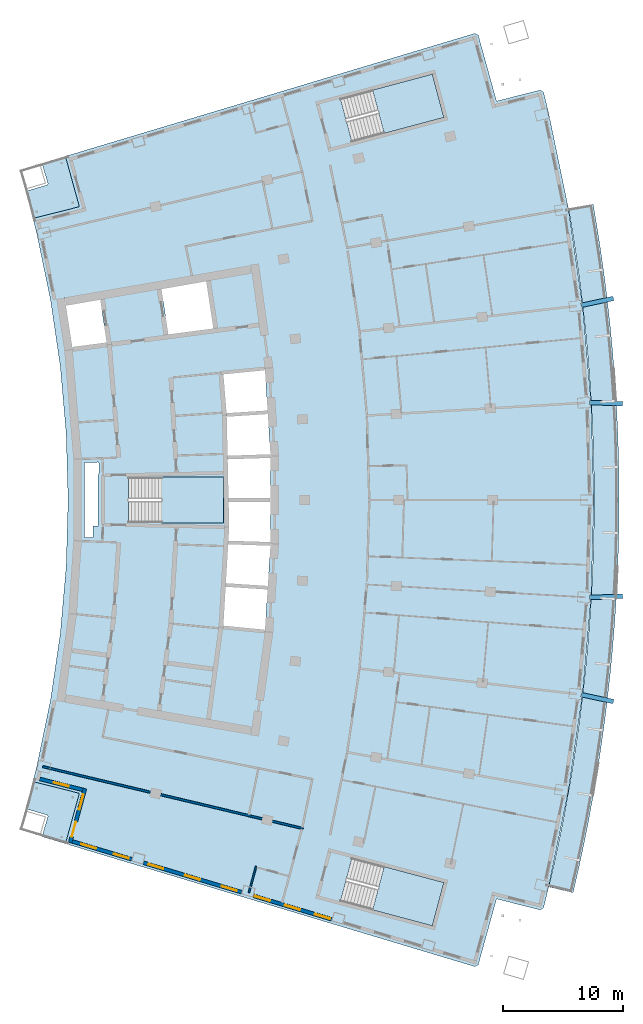
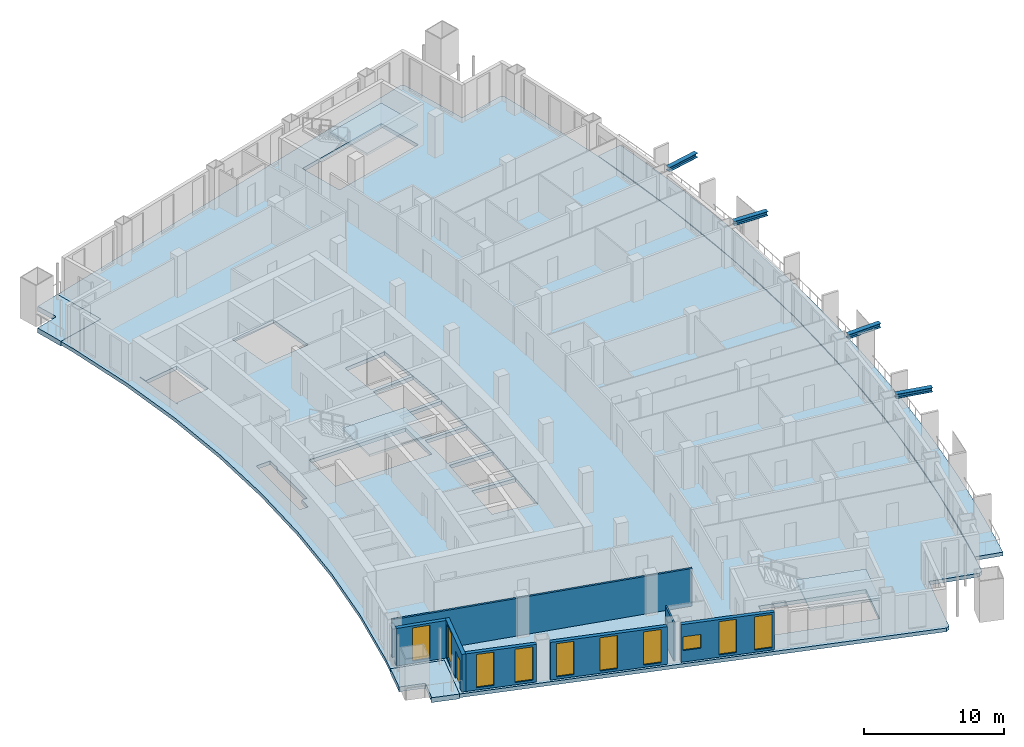
# One storey, part 9 of 20: 10 windows, 7 slabs, 7 walls, 4 members, 1 door, 11 openings, 3 elements without a shape of their own.
"""IFC4 building model written with IfcOpenShell, lengths in metres."""

from ifc_helpers import new_model, si_unit, direction, frame, frame_2d, origin, origin_2d, place, context, subcontext, project, spatial, polyline, rectangle, i_section, outline, extrude, material, layer, layer_set, material_profile, profile_set, type_object, element, fill, aggregate, save


model = new_model("IFC4")

# Units and contexts
model_context = context("Model", 3, precision=1e-05, world=origin(), true_north=direction((0.0, 1.0)))
body_context = subcontext(model_context, "Body", "Model", "MODEL_VIEW")
ifc_project = project(units=[si_unit("LENGTHUNIT", "METRE"), si_unit("AREAUNIT", "SQUARE_METRE"), si_unit("VOLUMEUNIT", "CUBIC_METRE"), si_unit("PLANEANGLEUNIT", "RADIAN"), si_unit("MASSUNIT", "GRAM", prefix="KILO")], contexts=[model_context])

# Site, building, storey
site_placement = place(None, origin())
site = spatial("IfcSite", under=ifc_project, at=site_placement, CompositionType="ELEMENT")
building_placement = place(site_placement, origin())
building = spatial("IfcBuilding", under=site, at=building_placement, Name="Alderwake Tower", CompositionType="ELEMENT")
storey_placement = place(building_placement, frame((0.0, 0.0, 164.0)))
storey = spatial("IfcBuildingStorey", under=building, at=storey_placement, Name="L40", CompositionType="ELEMENT", Elevation=164.0)

# Members
ifc_material_1 = material(Name="Steel ASTM A992 Grade 50", Category="steel")
ifc_material_profile = material_profile(ifc_material_1, i_section(OverallWidth=0.3740234375, OverallDepth=0.372314453125, WebThickness=0.016357421875, FlangeThickness=0.026123046875, at=origin_2d()), Name="W14X132")
ifc_profile_set = profile_set([ifc_material_profile], Name="Steel ASTM A992 Grade 50")
member_type = type_object("IfcMemberType", Name="Brace node stub W14X132", PredefinedType="MEMBER", material=ifc_profile_set)
for number, where, z_axis, x_axis, name in (
    (1, (58.948486328125, 44.71142578125, 3.393798828125), (0.977701863862, -0.209997774752, 0.0), (0.209997774752, 0.977701863862, 0.0), "Brace node stub BS.FR05-C5.1676"),
    (2, (59.662353515625, 52.84765625, 3.393798828125), (0.999328683305, 0.036635812045, 0.0), (-0.036635812045, 0.999328683305, 0.0), "Brace node stub BS.FR06-C5.1676"),
    (3, (59.662353515625, 69.15234375, 3.393798828125), (0.999328683305, -0.036635812045, 0.0), (0.036635812045, 0.999328683305, 0.0), "Brace node stub BS.FR08-C5.1676"),
    (4, (58.948486328125, 77.28857421875, 3.393798828125), (0.977701863862, 0.209997774752, 0.0), (-0.209997774752, 0.977701863862, 0.0), "Brace node stub BS.FR09-C5.1676"),
):
    element("IfcMember", number, at=place(storey_placement, frame(where, z_axis=z_axis, x_axis=x_axis)), inside=storey, type_object=member_type, Name=name, PredefinedType="MEMBER", context=body_context, shape_type="SweptSolid", body=[
        extrude(i_section(OverallWidth=0.3740234375, OverallDepth=0.372314453125, WebThickness=0.016357421875, FlangeThickness=0.026123046875, at=origin_2d()), origin(), (0.0, 0.0, 1.0), 2.739013671875),
    ])

# Slabs
ifc_material_2 = material(Name="Concrete C50/60", Category="concrete")
ifc_layer_1 = layer(ifc_material_2, 0.320068359375)
ifc_layer_set_1 = layer_set([ifc_layer_1], Name="Balcony slab 320")
slab_type_1 = type_object("IfcSlabType", Name="Balcony slab 320", PredefinedType="FLOOR", material=ifc_layer_set_1)
slab_1_placement = place(storey_placement, frame((0.0, 0.0, -0.320068359375)))
element("IfcSlab", 5, at=slab_1_placement, inside=storey, type_object=slab_type_1, Name="Balcony BF03", PredefinedType="FLOOR", context=body_context, shape_type="SweptSolid", body=[
    extrude(outline(polyline([(58.713623046875, 30.162841796875), (59.148681640625, 32.189208984375), (59.553955078125, 34.22119140625), (59.9296875, 36.25927734375), (60.275634765625, 38.302490234375), (60.591552734375, 40.3505859375), (60.877685546875, 42.40283203125), (61.134033203125, 44.459228515625), (61.360107421875, 46.51904296875), (61.556396484375, 48.58203125), (61.722412109375, 50.647705078125), (61.8583984375, 52.715576171875), (61.964111328125, 54.78515625), (62.03955078125, 56.85595703125), (62.0849609375, 58.927734375), (62.10009765625, 61.0), (62.0849609375, 63.072265625), (62.03955078125, 65.14404296875), (61.964111328125, 67.21484375), (61.8583984375, 69.284423828125), (61.722412109375, 71.352294921875), (61.556396484375, 73.41796875), (61.360107421875, 75.48095703125), (61.134033203125, 77.540771484375), (60.877685546875, 79.59716796875), (60.591552734375, 81.6494140625), (60.275634765625, 83.697509765625), (59.9296875, 85.74072265625), (57.86181640625, 85.375), (58.202392578125, 83.362060546875), (58.513916015625, 81.344482421875), (58.7958984375, 79.322265625), (59.04833984375, 77.29638671875), (59.271240234375, 75.266845703125), (59.46435546875, 73.234375), (59.6279296875, 71.19921875), (59.761962890625, 69.162109375), (59.865966796875, 67.123046875), (59.9404296875, 65.082763671875), (59.985107421875, 63.04150390625), (60.0, 61.0), (59.985107421875, 58.95849609375), (59.9404296875, 56.917236328125), (59.865966796875, 54.876953125), (59.761962890625, 52.837890625), (59.6279296875, 50.80078125), (59.46435546875, 48.765625), (59.271240234375, 46.733154296875), (59.04833984375, 44.70361328125), (58.7958984375, 42.677734375), (58.513916015625, 40.655517578125), (58.202392578125, 38.637939453125), (57.86181640625, 36.625), (57.49169921875, 34.616943359375), (57.09228515625, 32.61474609375), (56.663818359375, 30.61865234375), (56.2060546875, 28.62890625), (58.249267578125, 28.143310546875), (58.713623046875, 30.162841796875)])), origin(), (0.0, 0.0, 1.0), 0.320068359375),
])
ifc_material_3 = material(Name="Concrete C50/60", Category="concrete")
ifc_layer_2 = layer(ifc_material_3, 0.320068359375)
ifc_layer_set_2 = layer_set([ifc_layer_2], Name="Concrete C50/60 post-tensioned flat plate 320")
slab_type_2 = type_object("IfcSlabType", Name="Concrete C50/60 post-tensioned flat plate 320", PredefinedType="FLOOR", material=ifc_layer_set_2)
slab_2_placement = place(storey_placement, frame((0.0, 0.0, -0.320068359375)))
element("IfcSlab", 6, at=slab_2_placement, inside=storey, type_object=slab_type_2, Name="Floor slab L40", PredefinedType="FLOOR", context=body_context, shape_type="SweptSolid", body=[
    extrude(outline(polyline([(13.06494140625, 37.443115234375), (13.3984375, 38.802734375), (14.53369140625, 44.28564453125), (15.347412109375, 49.825439453125), (15.836669921875, 55.4033203125), (16.0, 61.0), (15.836669921875, 66.5966796875), (15.347412109375, 72.174560546875), (14.53369140625, 77.71435546875), (13.3984375, 83.197265625), (13.06494140625, 84.556884765625), (16.942626953125, 85.53857421875), (15.776611328125, 89.7548828125), (50.035888671875, 100.04052734375), (50.3173828125, 99.885009765625), (51.841796875, 94.372314453125), (55.49658203125, 95.297607421875), (55.7744140625, 95.130615234375), (56.2060546875, 93.37109375), (57.86181640625, 85.375), (59.04833984375, 77.29638671875), (59.761962890625, 69.162109375), (60.0, 61.0), (59.761962890625, 52.837890625), (59.04833984375, 44.70361328125), (57.86181640625, 36.625), (56.2060546875, 28.62890625), (55.7744140625, 26.869384765625), (55.49658203125, 26.702392578125), (51.841796875, 27.627685546875), (50.3173828125, 22.114990234375), (50.035888671875, 21.95947265625), (15.776611328125, 32.2451171875), (16.942626953125, 36.46142578125), (13.06494140625, 37.443115234375)]), holes=[polyline([(28.9853515625, 50.430908203125), (28.989013671875, 50.430419921875), (28.994140625, 50.485595703125), (32.447509765625, 50.147705078125), (32.432861328125, 49.998291015625), (32.462646484375, 49.995361328125), (32.701416015625, 53.660888671875), (32.940185546875, 57.32666015625), (32.940185546875, 61.0), (32.940185546875, 64.67333984375), (32.701416015625, 68.339111328125), (32.462646484375, 72.004638671875), (32.432861328125, 72.001708984375), (32.447509765625, 71.852294921875), (28.993896484375, 71.514404296875), (29.256591796875, 68.264892578125), (32.66162109375, 68.48681640625), (32.67138671875, 68.337158203125), (32.68115234375, 68.1875), (29.278564453125, 67.9658203125), (29.274169921875, 68.032470703125), (29.2705078125, 68.0322265625), (29.34423828125, 64.70654296875), (32.9052734375, 64.822265625), (32.91015625, 64.67236328125), (32.9150390625, 64.5224609375), (29.350830078125, 64.406494140625), (29.4228515625, 61.14990234375), (32.91015625, 61.14990234375), (32.91015625, 61.0), (32.91015625, 60.85009765625), (29.429443359375, 60.85009765625), (29.4765625, 58.72314453125), (29.409423828125, 57.591552734375), (32.9150390625, 57.4775390625), (32.91015625, 57.32763671875), (32.9052734375, 57.177734375), (29.395751953125, 57.291748046875), (29.39599609375, 57.3017578125), (29.392333984375, 57.302001953125), (29.198974609375, 54.039306640625), (32.68115234375, 53.8125), (32.67138671875, 53.662841796875), (32.66162109375, 53.51318359375), (29.181396484375, 53.739990234375), (28.9853515625, 50.430908203125)]), polyline([(21.050048828125, 62.875), (21.050048828125, 59.125), (29.0, 59.125), (29.0, 62.875), (21.050048828125, 62.875)]), polyline([(15.739013671875, 77.927490234375), (15.5361328125, 77.8916015625), (15.536865234375, 77.887939453125), (15.716796875, 77.91552734375), (16.379150390625, 73.605712890625), (16.4091796875, 73.609619140625), (16.38330078125, 73.80810546875), (19.224853515625, 74.1796875), (18.689697265625, 77.74365234375), (18.885986328125, 77.773193359375), (18.8837890625, 77.787109375), (15.854248046875, 77.261962890625), (15.739013671875, 77.927490234375)]), polyline([(27.555419921875, 79.29052734375), (23.811767578125, 78.6416015625), (24.384033203125, 74.8583984375), (24.373291015625, 74.856689453125), (24.373779296875, 74.85302734375), (28.152587890625, 75.347412109375), (27.555419921875, 79.29052734375)]), polyline([(47.436279296875, 28.996826171875), (39.754150390625, 31.043212890625), (38.7890625, 27.41943359375), (46.47119140625, 25.373291015625), (47.436279296875, 28.996826171875)]), polyline([(46.47119140625, 96.626708984375), (38.7890625, 94.58056640625), (39.754150390625, 90.956787109375), (47.436279296875, 93.003173828125), (46.47119140625, 96.626708984375)]), polyline([(17.389404296875, 64.1220703125), (17.389404296875, 57.8779296875), (18.06298828125, 57.85400390625), (18.090576171875, 58.84375), (18.544189453125, 58.831298828125), (18.529296875, 58.8681640625), (18.5234375, 58.891845703125), (18.5185546875, 58.940673828125), (18.5185546875, 63.060302734375), (18.5234375, 63.109130859375), (18.53759765625, 63.156005859375), (18.560791015625, 63.19921875), (18.588623046875, 63.2333984375), (18.562744140625, 64.16357421875), (17.389404296875, 64.1220703125)])]), origin(), (0.0, 0.0, 1.0), 0.320068359375),
])

# Stair, slab
ifc_material_4 = material(Name="Concrete C40/50", Category="concrete")
stair_type = type_object("IfcStairType", Name="Core exit stair", PredefinedType="HALF_TURN_STAIR", material=ifc_material_4)
stair_1_placement = place(storey_placement, origin())
stair_1 = element("IfcStair", 7, at=stair_1_placement, inside=storey, type_object=stair_type, Name="L40 Exit Stair B", PredefinedType="HALF_TURN_STAIR")
ifc_material_5 = material(Name="Concrete C40/50", Category="concrete")
ifc_layer_3 = layer(ifc_material_5, 0.199951171875)
ifc_layer_set_3 = layer_set([ifc_layer_3], Name="Core stair landing 200")
slab_type_3 = type_object("IfcSlabType", Name="Core stair landing 200", PredefinedType="LANDING", material=ifc_layer_set_3)
slab_3_placement = place(storey_placement, frame((0.0, 0.0, 1.60009765625)))
slab_3 = element("IfcSlab", 8, at=slab_3_placement, type_object=slab_type_3, Name="ST-B landing 1", PredefinedType="LANDING", context=body_context, shape_type="SweptSolid", body=[
    extrude(outline(polyline([(23.830078125, 59.074951171875), (29.0, 59.074951171875), (29.0, 62.925048828125), (23.830078125, 62.925048828125), (23.830078125, 59.074951171875)])), origin(), (0.0, 0.0, 1.0), 0.199951171875),
])
aggregate(stair_1, [slab_3])

stair_2_placement = place(storey_placement, origin())
stair_2 = element("IfcStair", 9, at=stair_2_placement, inside=storey, type_object=stair_type, Name="L40 Exit Stair A", PredefinedType="HALF_TURN_STAIR")
slab_4_placement = place(storey_placement, frame((0.0, 0.0, 1.60009765625)))
slab_4 = element("IfcSlab", 10, at=slab_4_placement, type_object=slab_type_3, Name="ST-A landing 1", PredefinedType="LANDING", context=body_context, shape_type="SweptSolid", body=[
    extrude(outline(polyline([(42.440673828125, 91.67236328125), (47.436279296875, 93.003173828125), (46.47119140625, 96.626708984375), (41.475341796875, 95.296142578125), (42.440673828125, 91.67236328125)])), origin(), (0.0, 0.0, 1.0), 0.199951171875),
])
aggregate(stair_2, [slab_4])

stair_3_placement = place(storey_placement, origin())
stair_3 = element("IfcStair", 11, at=stair_3_placement, inside=storey, type_object=stair_type, Name="L40 Exit Stair C", PredefinedType="HALF_TURN_STAIR")
slab_5_placement = place(storey_placement, frame((0.0, 0.0, 1.60009765625)))
slab_5 = element("IfcSlab", 12, at=slab_5_placement, type_object=slab_type_3, Name="ST-C landing 1", PredefinedType="LANDING", context=body_context, shape_type="SweptSolid", body=[
    extrude(outline(polyline([(41.475341796875, 26.703857421875), (46.47119140625, 25.373291015625), (47.436279296875, 28.996826171875), (42.4404296875, 30.32763671875), (41.475341796875, 26.703857421875)])), origin(), (0.0, 0.0, 1.0), 0.199951171875),
])
aggregate(stair_3, [slab_5])

# Slabs
ifc_material_6 = material(Name="Concrete C50/60", Category="concrete")
ifc_layer_4 = layer(ifc_material_6, 0.419921875)
ifc_layer_set_4 = layer_set([ifc_layer_4], Name="Terrace slab 420")
slab_type_4 = type_object("IfcSlabType", Name="Terrace slab 420", PredefinedType="FLOOR", material=ifc_layer_set_4)
slab_6_placement = place(storey_placement, frame((0.0, 0.0, -0.419921875)))
element("IfcSlab", 13, at=slab_6_placement, inside=storey, type_object=slab_type_4, Name="Corner terrace RS", PredefinedType="FLOOR", context=body_context, shape_type="SweptSolid", body=[
    extrude(outline(polyline([(15.776611328125, 32.2451171875), (13.768798828125, 32.847900390625), (13.77685546875, 32.851806640625), (13.789306640625, 32.859619140625), (13.801025390625, 32.868408203125), (13.81201171875, 32.878662109375), (13.82177734375, 32.8896484375), (13.830322265625, 32.901611328125), (13.837646484375, 32.914306640625), (13.84375, 32.927490234375), (13.8486328125, 32.94140625), (14.29443359375, 34.478271484375), (14.2978515625, 34.492431640625), (14.2998046875, 34.507080078125), (14.30029296875, 34.521728515625), (14.29931640625, 34.53662109375), (14.297119140625, 34.551025390625), (14.29345703125, 34.565185546875), (14.2880859375, 34.5791015625), (14.28173828125, 34.59228515625), (14.27392578125, 34.604736328125), (14.26513671875, 34.616455078125), (14.255126953125, 34.627197265625), (14.244140625, 34.63720703125), (14.232177734375, 34.645751953125), (14.219482421875, 34.653076171875), (14.2060546875, 34.6591796875), (14.192138671875, 34.6640625), (12.46337890625, 35.16552734375), (12.456787109375, 35.1669921875), (12.71142578125, 36.08837890625), (13.06494140625, 37.443115234375), (16.942626953125, 36.46142578125), (15.776611328125, 32.2451171875)])), origin(), (0.0, 0.0, 1.0), 0.419921875),
])
slab_7_placement = place(storey_placement, frame((0.0, 0.0, -0.419921875)))
element("IfcSlab", 14, at=slab_7_placement, inside=storey, type_object=slab_type_4, Name="Corner terrace RN", PredefinedType="FLOOR", context=body_context, shape_type="SweptSolid", body=[
    extrude(outline(polyline([(12.456787109375, 86.8330078125), (12.46337890625, 86.83447265625), (14.192138671875, 87.3359375), (14.2060546875, 87.3408203125), (14.219482421875, 87.346923828125), (14.232177734375, 87.354248046875), (14.244140625, 87.36279296875), (14.255126953125, 87.372802734375), (14.26513671875, 87.383544921875), (14.27392578125, 87.395263671875), (14.28173828125, 87.40771484375), (14.2880859375, 87.4208984375), (14.29345703125, 87.434814453125), (14.297119140625, 87.448974609375), (14.29931640625, 87.46337890625), (14.30029296875, 87.478271484375), (14.2998046875, 87.492919921875), (14.2978515625, 87.507568359375), (14.29443359375, 87.521728515625), (13.8486328125, 89.05859375), (13.84375, 89.072509765625), (13.837646484375, 89.085693359375), (13.830322265625, 89.098388671875), (13.82177734375, 89.1103515625), (13.81201171875, 89.121337890625), (13.801025390625, 89.131591796875), (13.789306640625, 89.140380859375), (13.77685546875, 89.148193359375), (13.768798828125, 89.152099609375), (15.776611328125, 89.7548828125), (16.942626953125, 85.53857421875), (13.06494140625, 84.556884765625), (12.71142578125, 85.91162109375), (12.456787109375, 86.8330078125)])), origin(), (0.0, 0.0, 1.0), 0.419921875),
])

# Wall
ifc_material_7 = material(Name="Gypsum board on metal studs, rated")
ifc_layer_5 = layer(ifc_material_7, 0.159912109375)
ifc_layer_set_5 = layer_set([ifc_layer_5], Name="Corridor wall 160")
wall_type_1 = type_object("IfcWallType", Name="Corridor wall 160", PredefinedType="PARTITIONING", material=ifc_layer_set_5)
wall_1_placement = place(storey_placement, frame((13.884033203125, 38.68798828125, 0.0), z_axis=(0.0, 0.0, 1.0), x_axis=(0.972893462073, -0.231253781493, 0.0)))
element("IfcWall", 15, at=wall_1_placement, inside=storey, type_object=wall_type_1, Name="WL/L40/W10", PredefinedType="PARTITIONING", context=body_context, shape_type="SweptSolid", body=[
    extrude(rectangle(XDim=22.38037109375, YDim=0.159912109375, at=frame_2d((11.190185546875, 0.0))), origin(), (0.0, 0.0, 1.0), 3.280029296875),
])

# Wall, opening, window
ifc_material_8 = material(Name="Bronze metal cladding on lightweight framing")
ifc_layer_6 = layer(ifc_material_8, 0.300048828125)
ifc_layer_set_6 = layer_set([ifc_layer_6], Name="External wall EW2 bronze metal cladding")
wall_type_2 = type_object("IfcWallType", Name="External wall EW2 bronze metal cladding", PredefinedType="SOLIDWALL", material=ifc_layer_set_6)
wall_2_placement = place(storey_placement, frame((13.633056640625, 37.660400390625, 0.0), z_axis=(0.0, 0.0, 1.0), x_axis=(0.969417366605, -0.245417948254, 0.0)))
wall_2 = element("IfcWall", 16, at=wall_2_placement, inside=storey, type_object=wall_type_2, Name="External wall 2", PredefinedType="SOLIDWALL", context=body_context, shape_type="SweptSolid", body=[
    extrude(rectangle(XDim=3.70556640625, YDim=0.300048828125, at=frame_2d((1.852783203125, 0.0))), origin(), (0.0, 0.0, 1.0), 3.280029296875),
])
opening_1_placement = place(wall_2_placement, frame((1.202880859375, 0.0, 0.199951171875)))
opening_1 = element("IfcOpeningElement", 17, at=opening_1_placement, cuts=wall_2, Name="Opening W1", PredefinedType="OPENING", context=body_context, shape_type="SweptSolid", body=[
    extrude(rectangle(XDim=1.300048828125, YDim=2.89990234375, at=frame_2d((0.64990234375, 1.449951171875))), frame((0.0, 0.159912109375, 0.0), z_axis=(0.0, -1.0, 0.0), x_axis=(1.0, 0.0, 0.0)), (0.0, 0.0, 1.0), 0.320068359375),
])
ifc_material_9 = material(Name="Bronze tinted glass in aluminium frame", Category="aluminium")
window_type_1 = type_object("IfcWindowType", Name="Window W1 tall fixed and vent", PartitioningType="DOUBLE_PANEL_VERTICAL", PredefinedType="WINDOW", material=ifc_material_9)
window_1_placement = place(opening_1_placement, origin())
window_1 = element("IfcWindow", 18, at=window_1_placement, inside=storey, type_object=window_type_1, Name="Window W1 tall fixed and vent", OverallHeight=2.89990234375, OverallWidth=1.300048828125, PartitioningType="DOUBLE_PANEL_VERTICAL", PredefinedType="WINDOW", context=body_context, shape_type="SweptSolid", body=[
    extrude(rectangle(XDim=1.300048828125, YDim=2.89990234375, at=frame_2d((0.64990234375, 1.449951171875))), frame((0.0, 0.030029296875, 0.0), z_axis=(0.0, -1.0, 0.0), x_axis=(1.0, 0.0, 0.0)), (0.0, 0.0, 1.0), 0.06005859375),
])
fill(opening_1, window_1)

# Wall, openings, door, window
wall_3_placement = place(storey_placement, frame((17.410400390625, 36.85888671875, 0.0), z_axis=(0.0, 0.0, 1.0), x_axis=(-0.264592640785, -0.96436027212, 0.0)))
wall_3 = element("IfcWall", 19, at=wall_3_placement, inside=storey, type_object=wall_type_2, Name="External wall 3", PredefinedType="SOLIDWALL", context=body_context, shape_type="SweptSolid", body=[
    extrude(rectangle(XDim=4.690185546875, YDim=0.300048828125, at=frame_2d((2.34521484375, 0.0))), origin(), (0.0, 0.0, 1.0), 3.280029296875),
])
opening_2_placement = place(wall_3_placement, frame((0.5224609375, 0.0, 0.199951171875)))
opening_2 = element("IfcOpeningElement", 20, at=opening_2_placement, cuts=wall_3, Name="Opening W1", PredefinedType="OPENING", context=body_context, shape_type="SweptSolid", body=[
    extrude(rectangle(XDim=1.300048828125, YDim=2.89990234375, at=frame_2d((0.64990234375, 1.449951171875))), frame((0.0, 0.159912109375, 0.0), z_axis=(0.0, -1.0, 0.0), x_axis=(1.0, 0.0, 0.0)), (0.0, 0.0, 1.0), 0.320068359375),
])
opening_3_placement = place(wall_3_placement, frame((2.867431640625, 0.0, 0.0)))
opening_3 = element("IfcOpeningElement", 21, at=opening_3_placement, cuts=wall_3, Name="Opening D01", PredefinedType="OPENING", context=body_context, shape_type="SweptSolid", body=[
    extrude(rectangle(XDim=1.300048828125, YDim=2.39990234375, at=frame_2d((0.64990234375, 1.199951171875))), frame((0.0, 0.159912109375, 0.0), z_axis=(0.0, -1.0, 0.0), x_axis=(1.0, 0.0, 0.0)), (0.0, 0.0, 1.0), 0.320068359375),
])
ifc_material_10 = material(Name="Bronze tinted glass in aluminium frame", Category="aluminium")
door_type = type_object("IfcDoorType", Name="Balcony door BD sliding", OperationType="SLIDING_TO_LEFT", PredefinedType="DOOR", material=ifc_material_10)
door_placement = place(opening_3_placement, origin())
door = element("IfcDoor", 22, at=door_placement, inside=storey, type_object=door_type, Name="Door D01", OperationType="SLIDING_TO_LEFT", OverallHeight=2.39990234375, OverallWidth=1.300048828125, PredefinedType="DOOR", context=body_context, shape_type="SweptSolid", body=[
    extrude(rectangle(XDim=1.300048828125, YDim=2.39990234375, at=frame_2d((0.64990234375, 1.199951171875))), frame((0.0, 0.02490234375, 0.0), z_axis=(0.0, -1.0, 0.0), x_axis=(1.0, 0.0, 0.0)), (0.0, 0.0, 1.0), 0.050048828125),
])
fill(opening_3, door)
window_2_placement = place(opening_2_placement, origin())
window_2 = element("IfcWindow", 23, at=window_2_placement, inside=storey, type_object=window_type_1, Name="Window W1 tall fixed and vent", OverallHeight=2.89990234375, OverallWidth=1.300048828125, PartitioningType="DOUBLE_PANEL_VERTICAL", PredefinedType="WINDOW", context=body_context, shape_type="SweptSolid", body=[
    extrude(rectangle(XDim=1.300048828125, YDim=2.89990234375, at=frame_2d((0.64990234375, 1.449951171875))), frame((0.0, 0.030029296875, 0.0), z_axis=(0.0, -1.0, 0.0), x_axis=(1.0, 0.0, 0.0)), (0.0, 0.0, 1.0), 0.06005859375),
])
fill(opening_2, window_2)

# Wall, openings, windows
wall_4_placement = place(storey_placement, frame((16.352783203125, 32.4375, 0.0), z_axis=(0.0, 0.0, 1.0), x_axis=(0.95776681843, -0.287546033732, 0.0)))
wall_4 = element("IfcWall", 24, at=wall_4_placement, inside=storey, type_object=wall_type_2, Name="External wall 4", PredefinedType="SOLIDWALL", context=body_context, shape_type="SweptSolid", body=[
    extrude(rectangle(XDim=5.199462890625, YDim=0.300048828125, at=frame_2d((2.599609375, 0.0))), origin(), (0.0, 0.0, 1.0), 3.280029296875),
])
opening_4_placement = place(wall_4_placement, frame((0.775390625, 0.0, 0.199951171875)))
opening_4 = element("IfcOpeningElement", 25, at=opening_4_placement, cuts=wall_4, Name="Opening W1", PredefinedType="OPENING", context=body_context, shape_type="SweptSolid", body=[
    extrude(rectangle(XDim=1.300048828125, YDim=2.89990234375, at=frame_2d((0.64990234375, 1.449951171875))), frame((0.0, 0.159912109375, 0.0), z_axis=(0.0, -1.0, 0.0), x_axis=(1.0, 0.0, 0.0)), (0.0, 0.0, 1.0), 0.320068359375),
])
opening_5_placement = place(wall_4_placement, frame((3.626220703125, 0.0, 0.199951171875)))
opening_5 = element("IfcOpeningElement", 26, at=opening_5_placement, cuts=wall_4, Name="Opening W1", PredefinedType="OPENING", context=body_context, shape_type="SweptSolid", body=[
    extrude(rectangle(XDim=1.300048828125, YDim=2.89990234375, at=frame_2d((0.64990234375, 1.449951171875))), frame((0.0, 0.159912109375, 0.0), z_axis=(0.0, -1.0, 0.0), x_axis=(1.0, 0.0, 0.0)), (0.0, 0.0, 1.0), 0.320068359375),
])
window_3_placement = place(opening_4_placement, origin())
window_3 = element("IfcWindow", 27, at=window_3_placement, inside=storey, type_object=window_type_1, Name="Window W1 tall fixed and vent", OverallHeight=2.89990234375, OverallWidth=1.300048828125, PartitioningType="DOUBLE_PANEL_VERTICAL", PredefinedType="WINDOW", context=body_context, shape_type="SweptSolid", body=[
    extrude(rectangle(XDim=1.300048828125, YDim=2.89990234375, at=frame_2d((0.64990234375, 1.449951171875))), frame((0.0, 0.030029296875, 0.0), z_axis=(0.0, -1.0, 0.0), x_axis=(1.0, 0.0, 0.0)), (0.0, 0.0, 1.0), 0.06005859375),
])
fill(opening_4, window_3)
window_4_placement = place(opening_5_placement, origin())
window_4 = element("IfcWindow", 28, at=window_4_placement, inside=storey, type_object=window_type_1, Name="Window W1 tall fixed and vent", OverallHeight=2.89990234375, OverallWidth=1.300048828125, PartitioningType="DOUBLE_PANEL_VERTICAL", PredefinedType="WINDOW", context=body_context, shape_type="SweptSolid", body=[
    extrude(rectangle(XDim=1.300048828125, YDim=2.89990234375, at=frame_2d((0.64990234375, 1.449951171875))), frame((0.0, 0.030029296875, 0.0), z_axis=(0.0, -1.0, 0.0), x_axis=(1.0, 0.0, 0.0)), (0.0, 0.0, 1.0), 0.06005859375),
])
fill(opening_5, window_4)

wall_5_placement = place(storey_placement, frame((22.294677734375, 30.653564453125, 0.0), z_axis=(0.0, 0.0, 1.0), x_axis=(0.957768419769, -0.287540699891, 0.0)))
wall_5 = element("IfcWall", 29, at=wall_5_placement, inside=storey, type_object=wall_type_2, Name="External wall 5", PredefinedType="SOLIDWALL", context=body_context, shape_type="SweptSolid", body=[
    extrude(rectangle(XDim=8.595947265625, YDim=0.300048828125, at=frame_2d((4.2978515625, 0.0))), origin(), (0.0, 0.0, 1.0), 3.280029296875),
])
opening_6_placement = place(wall_5_placement, frame((0.44775390625, 0.0, 0.199951171875)))
opening_6 = element("IfcOpeningElement", 30, at=opening_6_placement, cuts=wall_5, Name="Opening W1", PredefinedType="OPENING", context=body_context, shape_type="SweptSolid", body=[
    extrude(rectangle(XDim=1.300048828125, YDim=2.89990234375, at=frame_2d((0.64990234375, 1.449951171875))), frame((0.0, 0.159912109375, 0.0), z_axis=(0.0, -1.0, 0.0), x_axis=(1.0, 0.0, 0.0)), (0.0, 0.0, 1.0), 0.320068359375),
])
opening_7_placement = place(wall_5_placement, frame((3.647705078125, 0.0, 0.199951171875)))
opening_7 = element("IfcOpeningElement", 31, at=opening_7_placement, cuts=wall_5, Name="Opening W1", PredefinedType="OPENING", context=body_context, shape_type="SweptSolid", body=[
    extrude(rectangle(XDim=1.300048828125, YDim=2.89990234375, at=frame_2d((0.64990234375, 1.449951171875))), frame((0.0, 0.159912109375, 0.0), z_axis=(0.0, -1.0, 0.0), x_axis=(1.0, 0.0, 0.0)), (0.0, 0.0, 1.0), 0.320068359375),
])
opening_8_placement = place(wall_5_placement, frame((6.847900390625, 0.0, 0.199951171875)))
opening_8 = element("IfcOpeningElement", 32, at=opening_8_placement, cuts=wall_5, Name="Opening W1", PredefinedType="OPENING", context=body_context, shape_type="SweptSolid", body=[
    extrude(rectangle(XDim=1.300048828125, YDim=2.89990234375, at=frame_2d((0.64990234375, 1.449951171875))), frame((0.0, 0.159912109375, 0.0), z_axis=(0.0, -1.0, 0.0), x_axis=(1.0, 0.0, 0.0)), (0.0, 0.0, 1.0), 0.320068359375),
])
window_5_placement = place(opening_6_placement, origin())
window_5 = element("IfcWindow", 33, at=window_5_placement, inside=storey, type_object=window_type_1, Name="Window W1 tall fixed and vent", OverallHeight=2.89990234375, OverallWidth=1.300048828125, PartitioningType="DOUBLE_PANEL_VERTICAL", PredefinedType="WINDOW", context=body_context, shape_type="SweptSolid", body=[
    extrude(rectangle(XDim=1.300048828125, YDim=2.89990234375, at=frame_2d((0.64990234375, 1.449951171875))), frame((0.0, 0.030029296875, 0.0), z_axis=(0.0, -1.0, 0.0), x_axis=(1.0, 0.0, 0.0)), (0.0, 0.0, 1.0), 0.06005859375),
])
fill(opening_6, window_5)
window_6_placement = place(opening_7_placement, origin())
window_6 = element("IfcWindow", 34, at=window_6_placement, inside=storey, type_object=window_type_1, Name="Window W1 tall fixed and vent", OverallHeight=2.89990234375, OverallWidth=1.300048828125, PartitioningType="DOUBLE_PANEL_VERTICAL", PredefinedType="WINDOW", context=body_context, shape_type="SweptSolid", body=[
    extrude(rectangle(XDim=1.300048828125, YDim=2.89990234375, at=frame_2d((0.64990234375, 1.449951171875))), frame((0.0, 0.030029296875, 0.0), z_axis=(0.0, -1.0, 0.0), x_axis=(1.0, 0.0, 0.0)), (0.0, 0.0, 1.0), 0.06005859375),
])
fill(opening_7, window_6)
window_7_placement = place(opening_8_placement, origin())
window_7 = element("IfcWindow", 35, at=window_7_placement, inside=storey, type_object=window_type_1, Name="Window W1 tall fixed and vent", OverallHeight=2.89990234375, OverallWidth=1.300048828125, PartitioningType="DOUBLE_PANEL_VERTICAL", PredefinedType="WINDOW", context=body_context, shape_type="SweptSolid", body=[
    extrude(rectangle(XDim=1.300048828125, YDim=2.89990234375, at=frame_2d((0.64990234375, 1.449951171875))), frame((0.0, 0.030029296875, 0.0), z_axis=(0.0, -1.0, 0.0), x_axis=(1.0, 0.0, 0.0)), (0.0, 0.0, 1.0), 0.06005859375),
])
fill(opening_8, window_7)

wall_6_placement = place(storey_placement, frame((31.4892578125, 27.89306640625, 0.0), z_axis=(0.0, 0.0, 1.0), x_axis=(0.957776335697, -0.287514331431, 0.0)))
wall_6 = element("IfcWall", 36, at=wall_6_placement, inside=storey, type_object=wall_type_2, Name="External wall 6", PredefinedType="SOLIDWALL", context=body_context, shape_type="SweptSolid", body=[
    extrude(rectangle(XDim=6.86279296875, YDim=0.300048828125, at=frame_2d((3.431396484375, 0.0))), origin(), (0.0, 0.0, 1.0), 3.280029296875),
])
opening_9_placement = place(wall_6_placement, frame((0.1591796875, 0.0, 1.0)))
opening_9 = element("IfcOpeningElement", 37, at=opening_9_placement, cuts=wall_6, Name="Opening W2", PredefinedType="OPENING", context=body_context, shape_type="SweptSolid", body=[
    extrude(rectangle(XDim=1.300048828125, YDim=1.199951171875, at=frame_2d((0.64990234375, 0.60009765625))), frame((0.0, 0.159912109375, 0.0), z_axis=(0.0, -1.0, 0.0), x_axis=(1.0, 0.0, 0.0)), (0.0, 0.0, 1.0), 0.320068359375),
])
opening_10_placement = place(wall_6_placement, frame((2.78125, 0.0, 0.199951171875)))
opening_10 = element("IfcOpeningElement", 38, at=opening_10_placement, cuts=wall_6, Name="Opening W1", PredefinedType="OPENING", context=body_context, shape_type="SweptSolid", body=[
    extrude(rectangle(XDim=1.300048828125, YDim=2.89990234375, at=frame_2d((0.64990234375, 1.449951171875))), frame((0.0, 0.159912109375, 0.0), z_axis=(0.0, -1.0, 0.0), x_axis=(1.0, 0.0, 0.0)), (0.0, 0.0, 1.0), 0.320068359375),
])
opening_11_placement = place(wall_6_placement, frame((5.403564453125, 0.0, 0.199951171875)))
opening_11 = element("IfcOpeningElement", 39, at=opening_11_placement, cuts=wall_6, Name="Opening W1", PredefinedType="OPENING", context=body_context, shape_type="SweptSolid", body=[
    extrude(rectangle(XDim=1.300048828125, YDim=2.89990234375, at=frame_2d((0.64990234375, 1.449951171875))), frame((0.0, 0.159912109375, 0.0), z_axis=(0.0, -1.0, 0.0), x_axis=(1.0, 0.0, 0.0)), (0.0, 0.0, 1.0), 0.320068359375),
])
window_8_placement = place(opening_10_placement, origin())
window_8 = element("IfcWindow", 40, at=window_8_placement, inside=storey, type_object=window_type_1, Name="Window W1 tall fixed and vent", OverallHeight=2.89990234375, OverallWidth=1.300048828125, PartitioningType="DOUBLE_PANEL_VERTICAL", PredefinedType="WINDOW", context=body_context, shape_type="SweptSolid", body=[
    extrude(rectangle(XDim=1.300048828125, YDim=2.89990234375, at=frame_2d((0.64990234375, 1.449951171875))), frame((0.0, 0.030029296875, 0.0), z_axis=(0.0, -1.0, 0.0), x_axis=(1.0, 0.0, 0.0)), (0.0, 0.0, 1.0), 0.06005859375),
])
fill(opening_10, window_8)
window_9_placement = place(opening_11_placement, origin())
window_9 = element("IfcWindow", 41, at=window_9_placement, inside=storey, type_object=window_type_1, Name="Window W1 tall fixed and vent", OverallHeight=2.89990234375, OverallWidth=1.300048828125, PartitioningType="DOUBLE_PANEL_VERTICAL", PredefinedType="WINDOW", context=body_context, shape_type="SweptSolid", body=[
    extrude(rectangle(XDim=1.300048828125, YDim=2.89990234375, at=frame_2d((0.64990234375, 1.449951171875))), frame((0.0, 0.030029296875, 0.0), z_axis=(0.0, -1.0, 0.0), x_axis=(1.0, 0.0, 0.0)), (0.0, 0.0, 1.0), 0.06005859375),
])
fill(opening_11, window_9)
ifc_material_11 = material(Name="Bronze tinted glass in aluminium frame", Category="aluminium")
window_type_2 = type_object("IfcWindowType", Name="Window W2 kitchen and bath", PartitioningType="SINGLE_PANEL", PredefinedType="WINDOW", material=ifc_material_11)
window_10_placement = place(opening_9_placement, origin())
window_10 = element("IfcWindow", 42, at=window_10_placement, inside=storey, type_object=window_type_2, Name="Window W2 kitchen and bath", OverallHeight=1.199951171875, OverallWidth=1.300048828125, PartitioningType="SINGLE_PANEL", PredefinedType="WINDOW", context=body_context, shape_type="SweptSolid", body=[
    extrude(rectangle(XDim=1.300048828125, YDim=1.199951171875, at=frame_2d((0.64990234375, 0.60009765625))), frame((0.0, 0.030029296875, 0.0), z_axis=(0.0, -1.0, 0.0), x_axis=(1.0, 0.0, 0.0)), (0.0, 0.0, 1.0), 0.06005859375),
])
fill(opening_9, window_10)

# Wall
ifc_material_12 = material(Name="Moisture resistant gypsum board on metal studs")
ifc_layer_7 = layer(ifc_material_12, 0.1201171875)
ifc_layer_set_7 = layer_set([ifc_layer_7], Name="Wet room partition 120")
wall_type_3 = type_object("IfcWallType", Name="Wet room partition 120", PredefinedType="PARTITIONING", material=ifc_layer_set_7)
wall_7_placement = place(storey_placement, frame((31.72265625, 30.343017578125, 0.0), z_axis=(0.0, 0.0, 1.0), x_axis=(-0.259787988076, -0.965665677785, 0.0)))
element("IfcWall", 43, at=wall_7_placement, inside=storey, type_object=wall_type_3, Name="WL/L40/W30", PredefinedType="PARTITIONING", context=body_context, shape_type="SweptSolid", body=[
    extrude(rectangle(XDim=2.265869140625, YDim=0.1201171875, at=frame_2d((1.1328125, 0.0))), origin(), (0.0, 0.0, 1.0), 3.280029296875),
])

save(model, "model.ifc")
